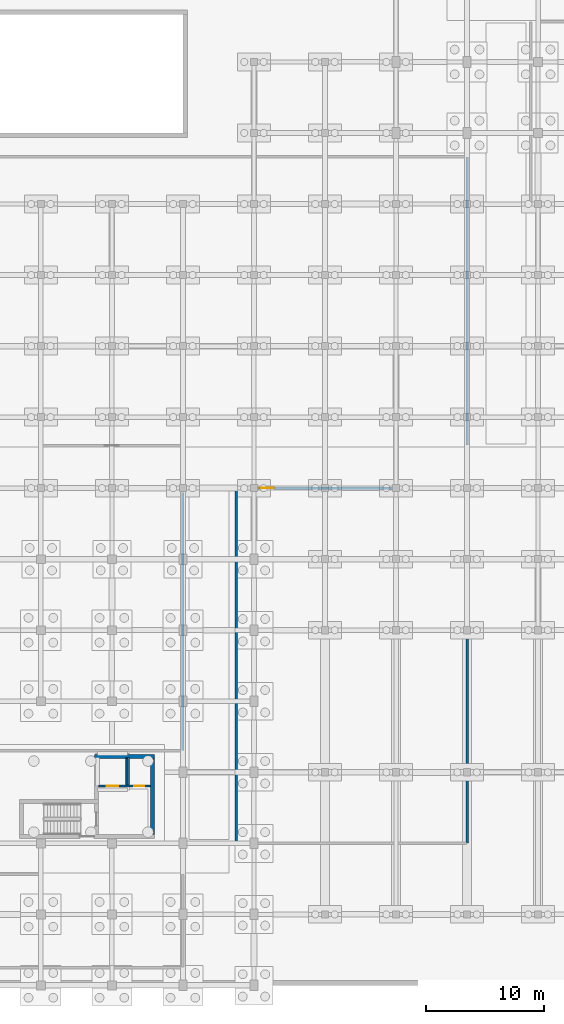
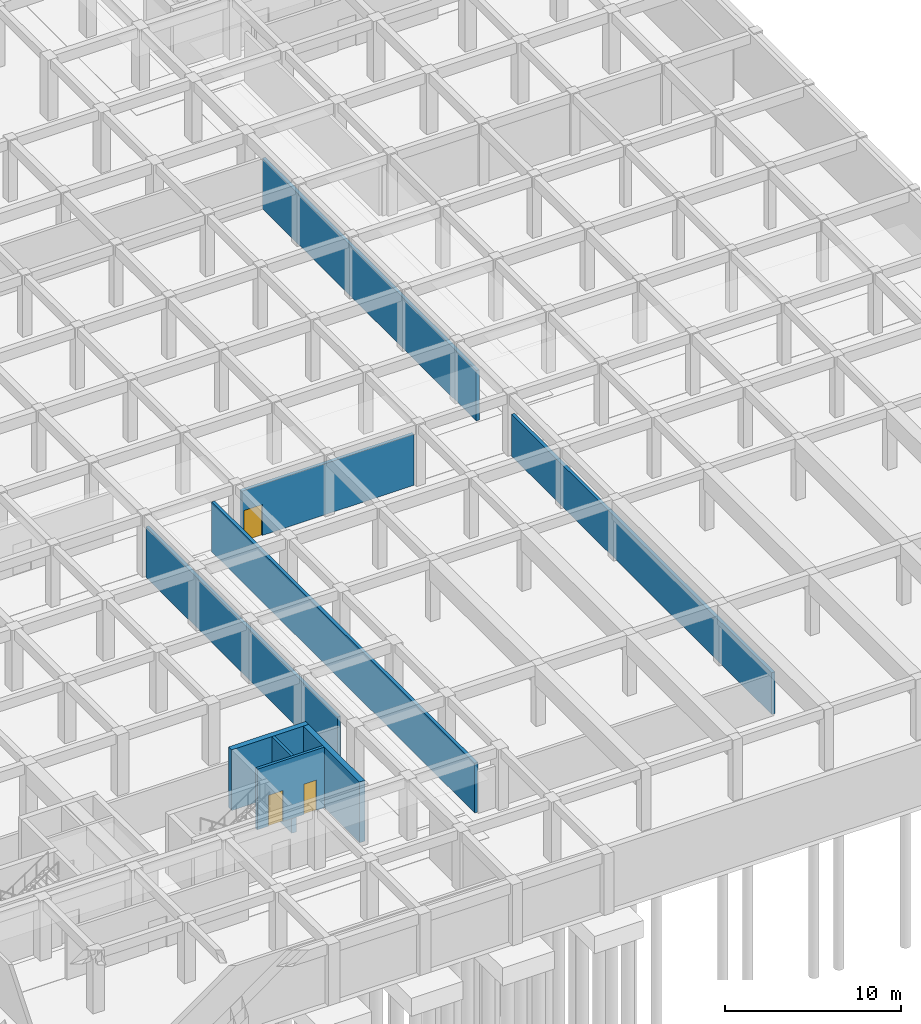
# One storey, part 32 of 41: 10 walls, 3 doors, 3 openings.
"""IFC4 building model written with IfcOpenShell, lengths in metres."""

from ifc_helpers import new_model, si_unit, direction, frame, frame_2d, origin, place, context, subcontext, project, spatial, rectangle, extrude, material, layer, layer_set, type_object, element, fill, save


model = new_model("IFC4")

# Units and contexts
model_context = context("Model", 3, precision=1e-05, world=origin(), true_north=direction((0.0, 1.0)))
body_context = subcontext(model_context, "Body", "Model", "MODEL_VIEW")
ifc_project = project(units=[si_unit("LENGTHUNIT", "METRE"), si_unit("AREAUNIT", "SQUARE_METRE"), si_unit("VOLUMEUNIT", "CUBIC_METRE"), si_unit("PLANEANGLEUNIT", "RADIAN"), si_unit("MASSUNIT", "GRAM", prefix="KILO"), si_unit("POWERUNIT", "WATT"), si_unit("THERMODYNAMICTEMPERATUREUNIT", "KELVIN")], contexts=[model_context])

# Site, building, storey
site_placement = place(None, origin())
site = spatial("IfcSite", under=ifc_project, at=site_placement, CompositionType="ELEMENT")
building_placement = place(site_placement, origin())
building = spatial("IfcBuilding", under=site, at=building_placement, Name="Ruvembo Vaulted Housing Court", CompositionType="ELEMENT")
storey_placement = place(building_placement, frame((0.0, 0.0, -4.5)))
storey = spatial("IfcBuildingStorey", under=building, at=storey_placement, Name="B1", CompositionType="ELEMENT", Elevation=-4.5)

# Walls
ifc_material_1 = material(Name="Concrete C35/45", Category="concrete")
ifc_layer_1 = layer(ifc_material_1, 0.35009765625, Name="Concrete C35/45")
ifc_layer_set_1 = layer_set([ifc_layer_1], Name="Concrete C35/45")
wall_type_1 = type_object("IfcWallType", Name="WL-CORE-350", PredefinedType="SHEAR", material=ifc_layer_set_1)
wall_1_placement = place(storey_placement, frame((129.60009765625, 19.324951171875, 0.0), z_axis=(0.0, 0.0, 1.0), x_axis=(-1.0, 0.0, 0.0)))
element("IfcWall", 1, at=wall_1_placement, inside=storey, type_object=wall_type_1, Name="Core C2 B1 North Shear Wall", PredefinedType="SHEAR", context=body_context, shape_type="SweptSolid", body=[
    extrude(rectangle(XDim=5.050048828125, YDim=0.35009765625, at=frame_2d((2.52490234375, 0.0))), origin(), (0.0, 0.0, 1.0), 4.215087890625),
])
wall_2_placement = place(storey_placement, frame((129.425048828125, 12.75, 0.0), z_axis=(0.0, 0.0, 1.0), x_axis=(0.0, 1.0, 0.0)))
element("IfcWall", 2, at=wall_2_placement, inside=storey, type_object=wall_type_1, Name="Core C2 B1 East Shear Wall", PredefinedType="SHEAR", context=body_context, shape_type="SweptSolid", body=[
    extrude(rectangle(XDim=6.39990234375, YDim=0.35009765625, at=frame_2d((3.199951171875, 0.0))), origin(), (0.0, 0.0, 1.0), 4.215087890625),
])
ifc_material_2 = material(Name="Concrete Blockwork 210", Category="masonry")
ifc_layer_2 = layer(ifc_material_2, 0.2099609375, Name="Concrete Blockwork 210")
ifc_layer_set_2 = layer_set([ifc_layer_2], Name="Concrete Blockwork 210")
wall_type_2 = type_object("IfcWallType", Name="WL-CORR-210", PredefinedType="SOLIDWALL", material=ifc_layer_set_2)
wall_3_placement = place(storey_placement, frame((132.0, 19.840087890625, 0.0), z_axis=(0.0, 0.0, 1.0), x_axis=(0.0, 1.0, 0.0)))
element("IfcWall", 3, at=wall_3_placement, inside=storey, type_object=wall_type_2, Name="B1 Greywater Treatment & Pump Plant WL-INT-B1-00023", PredefinedType="SOLIDWALL", context=body_context, shape_type="SweptSolid", body=[
    extrude(rectangle(XDim=21.7998046875, YDim=0.2099609375, at=frame_2d((10.89990234375, 0.0))), origin(), (0.0, 0.0, 1.0), 3.4970703125),
])

# Wall, opening, door
wall_4_placement = place(storey_placement, frame((138.360107421875, 42.0, 0.0), z_axis=(0.0, 0.0, 1.0), x_axis=(1.0, 0.0, 0.0)))
wall_4 = element("IfcWall", 4, at=wall_4_placement, inside=storey, type_object=wall_type_2, Name="B1 Cooperative Harvest Root Cellar WL-INT-B1-00040", PredefinedType="SOLIDWALL", context=body_context, shape_type="SweptSolid", body=[
    extrude(rectangle(XDim=11.27978515625, YDim=0.2099609375, at=frame_2d((5.639892578125, 0.0))), origin(), (0.0, 0.0, 1.0), 3.547119140625),
])
opening_1_placement = place(wall_4_placement, frame((0.1298828125, 0.0, 0.0)))
opening_1 = element("IfcOpeningElement", 5, at=opening_1_placement, cuts=wall_4, Name="Opening PD1", PredefinedType="OPENING", context=body_context, shape_type="SweptSolid", body=[
    extrude(rectangle(XDim=1.199951171875, YDim=2.14990234375, at=frame_2d((0.60009765625, 1.074951171875))), frame((0.0, 0.114990234375, 0.0), z_axis=(0.0, -1.0, 0.0), x_axis=(1.0, 0.0, 0.0)), (0.0, 0.0, 1.0), 0.22998046875),
])
ifc_material_3 = material(Name="Galvanised Painted Steel", Category="steel")
door_type_1 = type_object("IfcDoorType", Name="DR-PLANT-1200x2150", OperationType="NOTDEFINED", PredefinedType="DOOR", material=ifc_material_3)
door_1_placement = place(opening_1_placement, origin())
door_1 = element("IfcDoor", 6, at=door_1_placement, inside=storey, type_object=door_type_1, Name="B1 Cooperative Harvest Root Cellar Door DR-INT-B1-00011", OperationType="SINGLE_SWING_LEFT", OverallHeight=2.14990234375, OverallWidth=1.199951171875, PredefinedType="DOOR", context=body_context, shape_type="SweptSolid", body=[
    extrude(rectangle(XDim=1.199951171875, YDim=2.14990234375, at=frame_2d((0.60009765625, 1.074951171875))), frame((0.0, 0.02490234375, 0.0), z_axis=(0.0, -1.0, 0.0), x_axis=(1.0, 0.0, 0.0)), (0.0, 0.0, 1.0), 0.050048828125),
])
fill(opening_1, door_1)

# Walls
wall_5_placement = place(storey_placement, frame((156.0, 12.0400390625, 0.0), z_axis=(0.0, 0.0, 1.0), x_axis=(0.0, 1.0, 0.0)))
element("IfcWall", 7, at=wall_5_placement, inside=storey, type_object=wall_type_2, Name="B1 Cooperative Harvest Root Cellar WL-INT-B1-00042", PredefinedType="SOLIDWALL", context=body_context, shape_type="SweptSolid", body=[
    extrude(rectangle(XDim=29.599853515625, YDim=0.2099609375, at=frame_2d((14.7998046875, 0.0))), origin(), (0.0, 0.0, 1.0), 2.89697265625),
])
wall_6_placement = place(storey_placement, frame((136.5, 41.9599609375, 0.0), z_axis=(0.0, 0.0, 1.0), x_axis=(0.0, -1.0, 0.0)))
element("IfcWall", 8, at=wall_6_placement, inside=storey, type_object=wall_type_2, Name="B1 Cooperative Harvest Root Cellar WL-INT-B1-00043", PredefinedType="SOLIDWALL", context=body_context, shape_type="SweptSolid", body=[
    extrude(rectangle(XDim=29.919921875, YDim=0.2099609375, at=frame_2d((14.9599609375, 0.0))), origin(), (0.0, 0.0, 1.0), 3.447021484375),
])
wall_7_placement = place(storey_placement, frame((156.0, 45.639892578125, 0.0), z_axis=(0.0, 0.0, 1.0), x_axis=(0.0, 1.0, 0.0)))
element("IfcWall", 9, at=wall_7_placement, inside=storey, type_object=wall_type_2, Name="B1 Cooperative Food & Seed Preservation Vault WL-INT-B1-00053", PredefinedType="SOLIDWALL", context=body_context, shape_type="SweptSolid", body=[
    extrude(rectangle(XDim=24.320068359375, YDim=0.2099609375, at=frame_2d((12.16015625, 0.0))), origin(), (0.0, 0.0, 1.0), 3.4970703125),
])
ifc_layer_3 = layer(ifc_material_1, 0.324951171875, Name="Concrete C35/45")
ifc_layer_set_3 = layer_set([ifc_layer_3], Name="Concrete C35/45")
wall_type_3 = type_object("IfcWallType", Name="WL-PIT-325", PredefinedType="SHEAR", material=ifc_layer_set_3)
wall_8_placement = place(storey_placement, frame((127.3125, 16.85009765625, -1.10009765625), z_axis=(0.0, 0.0, 1.0), x_axis=(0.0, 1.0, 0.0)))
element("IfcWall", 10, at=wall_8_placement, inside=storey, type_object=wall_type_3, Name="Lift LP-C2 Pit Wall 2", PredefinedType="SHEAR", context=body_context, shape_type="SweptSolid", body=[
    extrude(rectangle(XDim=2.39990234375, YDim=0.324951171875, at=frame_2d((1.199951171875, 0.0))), origin(), (0.0, 0.0, 1.0), 1.10009765625),
])

# Wall, openings, doors
ifc_material_4 = material(Name="Fire-Rated Masonry Shaft 180", Category="masonry")
ifc_layer_4 = layer(ifc_material_4, 0.179931640625, Name="Fire-Rated Masonry Shaft 180")
ifc_layer_set_4 = layer_set([ifc_layer_4], Name="Fire-Rated Masonry Shaft 180")
wall_type_4 = type_object("IfcWallType", Name="WL-SHAFT-180", PredefinedType="SOLIDWALL", material=ifc_layer_set_4)
wall_9_placement = place(storey_placement, frame((124.85009765625, 16.85009765625, 0.0), z_axis=(0.0, 0.0, 1.0), x_axis=(1.0, 0.0, 0.0)))
wall_9 = element("IfcWall", 11, at=wall_9_placement, inside=storey, type_object=wall_type_4, Name="Core C2 B1 Lift and Riser Front Wall", PredefinedType="SOLIDWALL", context=body_context, shape_type="SweptSolid", body=[
    extrude(rectangle(XDim=4.39990234375, YDim=0.179931640625, at=frame_2d((2.199951171875, 0.0))), origin(), (0.0, 0.0, 1.0), 4.215087890625),
])
opening_2_placement = place(wall_9_placement, frame((0.72509765625, 0.0, 0.0)))
opening_2 = element("IfcOpeningElement", 12, at=opening_2_placement, cuts=wall_9, Name="Opening LD-LP-C2-B1", PredefinedType="OPENING", context=body_context, shape_type="SweptSolid", body=[
    extrude(rectangle(XDim=0.949951171875, YDim=2.14990234375, at=frame_2d((0.47509765625, 1.074951171875))), frame((0.0, 0.099853515625, 0.0), z_axis=(0.0, -1.0, 0.0), x_axis=(1.0, 0.0, 0.0)), (0.0, 0.0, 1.0), 0.199951171875),
])
opening_3_placement = place(wall_9_placement, frame((3.050048828125, 0.0, 0.0)))
opening_3 = element("IfcOpeningElement", 13, at=opening_3_placement, cuts=wall_9, Name="Opening RD1", PredefinedType="OPENING", context=body_context, shape_type="SweptSolid", body=[
    extrude(rectangle(XDim=0.85009765625, YDim=2.10009765625, at=frame_2d((0.425048828125, 1.050048828125))), frame((0.0, 0.099853515625, 0.0), z_axis=(0.0, -1.0, 0.0), x_axis=(1.0, 0.0, 0.0)), (0.0, 0.0, 1.0), 0.199951171875),
])
ifc_material_5 = material(Name="Brushed Stainless Steel 304", Category="steel")
door_type_2 = type_object("IfcDoorType", Name="DR-LIFT-0950x2150", OperationType="NOTDEFINED", PredefinedType="DOOR", material=ifc_material_5)
door_2_placement = place(opening_2_placement, origin())
door_2 = element("IfcDoor", 14, at=door_2_placement, inside=storey, type_object=door_type_2, Name="Lift LP-C2 B1 Sliding Landing Door", OperationType="SLIDING_TO_LEFT", OverallHeight=2.14990234375, OverallWidth=0.949951171875, PredefinedType="DOOR", context=body_context, shape_type="SweptSolid", body=[
    extrude(rectangle(XDim=0.949951171875, YDim=2.14990234375, at=frame_2d((0.47509765625, 1.074951171875))), frame((0.0, 0.02490234375, 0.0), z_axis=(0.0, -1.0, 0.0), x_axis=(1.0, 0.0, 0.0)), (0.0, 0.0, 1.0), 0.050048828125),
])
fill(opening_2, door_2)
door_type_3 = type_object("IfcDoorType", Name="DR-RISER-0850x2100", OperationType="NOTDEFINED", PredefinedType="DOOR", material=ifc_material_3)
door_3_placement = place(opening_3_placement, frame((0.85009765625, 0.0, 0.0), z_axis=(0.0, 0.0, 1.0), x_axis=(-1.0, 0.0, 0.0)))
door_3 = element("IfcDoor", 15, at=door_3_placement, inside=storey, type_object=door_type_3, Name="Core C2 B1 Service Riser Door", OperationType="SINGLE_SWING_RIGHT", OverallHeight=2.10009765625, OverallWidth=0.85009765625, PredefinedType="DOOR", context=body_context, shape_type="SweptSolid", body=[
    extrude(rectangle(XDim=0.85009765625, YDim=2.10009765625, at=frame_2d((0.425048828125, 1.050048828125))), frame((0.0, 0.02490234375, 0.0), z_axis=(0.0, -1.0, 0.0), x_axis=(1.0, 0.0, 0.0)), (0.0, 0.0, 1.0), 0.050048828125),
])
fill(opening_3, door_3)

# Wall
wall_10_placement = place(storey_placement, frame((127.27001953125, 16.93994140625, 0.0), z_axis=(0.0, 0.0, 1.0), x_axis=(0.0, 1.0, 0.0)))
element("IfcWall", 16, at=wall_10_placement, inside=storey, type_object=wall_type_4, Name="Core C2 B1 Shaft-Riser Divider Wall", PredefinedType="SOLIDWALL", context=body_context, shape_type="SweptSolid", body=[
    extrude(rectangle(XDim=2.2099609375, YDim=0.179931640625, at=frame_2d((1.10498046875, 0.0))), origin(), (0.0, 0.0, 1.0), 4.215087890625),
])

save(model, "model.ifc")
